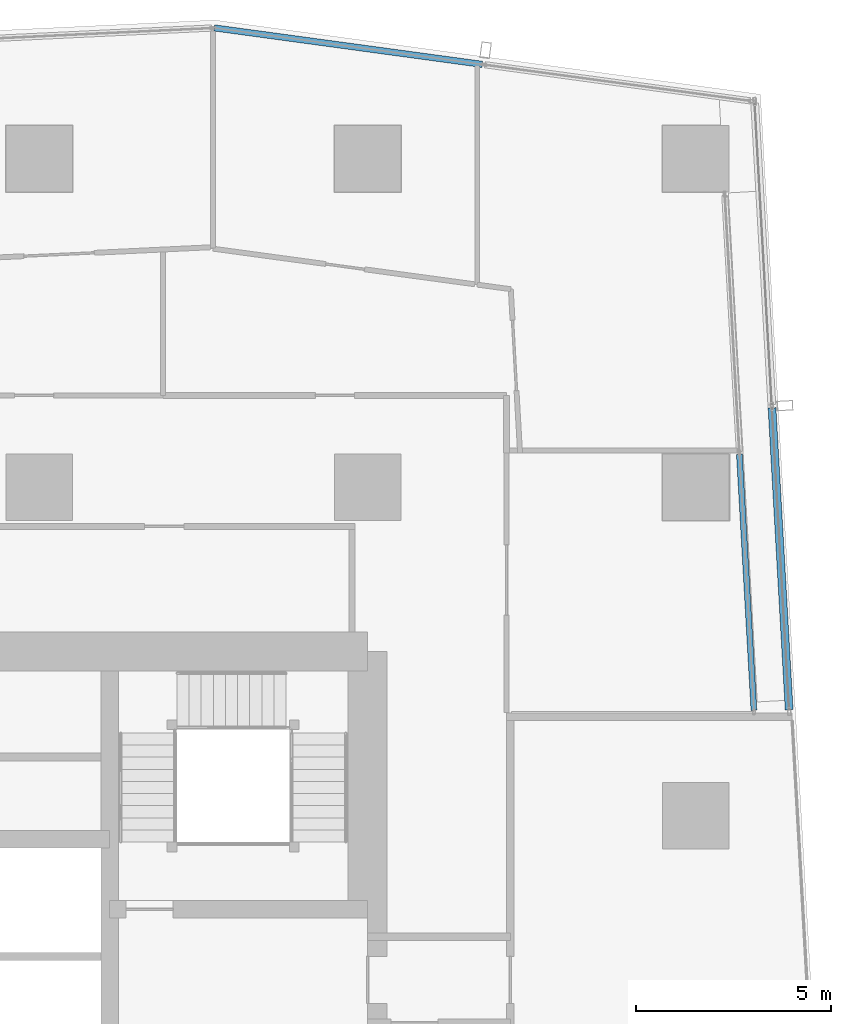
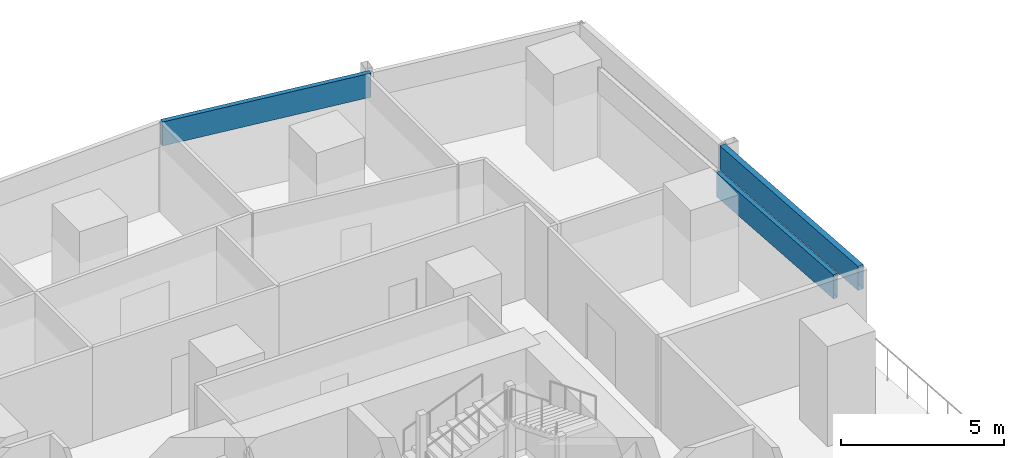
# One storey, part 20 of 34: 3 members, 3 elements without a shape of their own.
"""IFC4 building model written with IfcOpenShell, lengths in metres."""

import ifcopenshell
import ifcopenshell.guid

model = None  # the IFC model being written
_history = None  # IfcOwnerHistory: only IFC2X3 demands one
_inside = {}  # id of a spatial element -> (the spatial element, [elements in it])
_under = {}  # id of a project, library or spatial element -> (it, [spatial elements below it])
_declared = {}  # id of a project -> (the project, [libraries it declares])
_typed = {}  # id of a type object -> (the type object, [elements of that type])
_made_of = {}  # id of a material, layer set ... -> (it, [elements and type objects made of it])


def new_model(schema):
    """Start an empty IFC model of exactly this schema.

    Asked for "IFC4X3", IfcOpenShell would pick the latest addendum, in which some entities
    have other attributes; the version numbers below select the first issue.
    IFC2X3 requires an IfcOwnerHistory on every rooted entity: one is made here for all.
    """
    global model, _history
    if schema == "IFC4X3":
        model = ifcopenshell.file(schema_version=(4, 3, 0, 0))
    else:
        model = ifcopenshell.file(schema=schema)
    _inside.clear()
    _under.clear()
    _declared.clear()
    _typed.clear()
    _made_of.clear()
    _history = None
    if model.schema == "IFC2X3":
        org = make("IfcOrganization", Name="unknown")
        user = make(
            "IfcPersonAndOrganization",
            ThePerson=make("IfcPerson", FamilyName="unknown"),
            TheOrganization=org,
        )
        app = make(
            "IfcApplication",
            ApplicationDeveloper=org,
            Version="unknown",
            ApplicationFullName="unknown",
            ApplicationIdentifier="unknown",
        )
        _history = make(
            "IfcOwnerHistory",
            OwningUser=user,
            OwningApplication=app,
            ChangeAction="ADDED",
            CreationDate=0,
        )
    return model


def make(cls, **values):
    """One entity of the class cls with the attributes given. An attribute that is None is left unset."""
    return model.create_entity(
        cls, **{name: value for name, value in values.items() if value is not None}
    )


def rooted(cls, **values):
    """An entity with a GlobalId (a new one), such as an element, a storey or a relation."""
    return make(cls, GlobalId=ifcopenshell.guid.new(), OwnerHistory=_history, **values)


def si_unit(unit_type, name, prefix=None):
    """IfcSIUnit, for example si_unit("LENGTHUNIT", "METRE", prefix="MILLI")."""
    return make("IfcSIUnit", UnitType=unit_type, Prefix=prefix, Name=name)


def assignment(units):
    """IfcUnitAssignment: the units of a project."""
    return None if units is None else make("IfcUnitAssignment", Units=units)


def point(xyz):
    """IfcCartesianPoint."""
    return None if xyz is None else make("IfcCartesianPoint", Coordinates=xyz)


def direction(xyz):
    """IfcDirection."""
    return None if xyz is None else make("IfcDirection", DirectionRatios=xyz)


def frame(location, z_axis=None, x_axis=None):
    """IfcAxis2Placement3D, a coordinate frame: its origin and axes. An axis left out is left unset."""
    return make(
        "IfcAxis2Placement3D",
        Location=point(location),
        Axis=direction(z_axis),
        RefDirection=direction(x_axis),
    )


def frame_2d(location, x_axis=None):
    """IfcAxis2Placement2D, a coordinate frame in the plane: its origin and x axis."""
    return make(
        "IfcAxis2Placement2D", Location=point(location), RefDirection=direction(x_axis)
    )


def origin():
    """The frame at (0, 0, 0) with its axes left unset."""
    return frame((0.0, 0.0, 0.0))


def origin_2d():
    """The frame at (0, 0) in the plane with its x axis left unset."""
    return frame_2d((0.0, 0.0))


def place(relative_to, where):
    """IfcLocalPlacement: puts the frame where relative to a parent placement (None: the world)."""
    return make(
        "IfcLocalPlacement", PlacementRelTo=relative_to, RelativePlacement=where
    )


def context(
    kind, dimensions, precision=None, world=None, true_north=None, identifier=None
):
    """IfcGeometricRepresentationContext, for example the 3D "Model" context."""
    return make(
        "IfcGeometricRepresentationContext",
        ContextIdentifier=identifier,
        ContextType=kind,
        CoordinateSpaceDimension=dimensions,
        Precision=precision,
        WorldCoordinateSystem=world,
        TrueNorth=true_north,
    )


def subcontext(parent, identifier, kind, view, scale=None):
    """IfcGeometricRepresentationSubContext, for example "Body" below "Model"."""
    return make(
        "IfcGeometricRepresentationSubContext",
        ContextIdentifier=identifier,
        ContextType=kind,
        ParentContext=parent,
        TargetScale=scale,
        TargetView=view,
    )


def project(units=None, contexts=None):
    """IfcProject with its units and contexts."""
    return rooted(
        "IfcProject",
        Name="project",
        RepresentationContexts=contexts,
        UnitsInContext=assignment(units),
    )


def spatial(cls, under=None, at=None, **own):
    """A site, building, storey or space (cls), placed at a placement, below another one or the project."""
    s = rooted(cls, ObjectPlacement=at, **own)
    if under is not None:
        _under.setdefault(under.id(), (under, []))[1].append(s)
    return s


def profile(cls, at=None, kind="AREA", **sizes):
    """A parametric profile (cls). Its sizes go by their IFC names, for example OverallWidth=200.0."""
    return make(cls, ProfileType=kind, Position=at, **sizes)


def hollow_rectangle(**sizes):
    """IfcRectangleHollowProfileDef."""
    return profile("IfcRectangleHollowProfileDef", **sizes)


def extrude(swept, where, along, depth):
    """IfcExtrudedAreaSolid: the profile swept, set in the frame where, extruded along a direction by depth."""
    return make(
        "IfcExtrudedAreaSolid",
        SweptArea=swept,
        Position=where,
        ExtrudedDirection=direction(along),
        Depth=depth,
    )


def shape(context_of_items, identifier, shape_type, items):
    """IfcShapeRepresentation: the items that make up one representation, for example the "Body"."""
    return make(
        "IfcShapeRepresentation",
        ContextOfItems=context_of_items,
        RepresentationIdentifier=identifier,
        RepresentationType=shape_type,
        Items=items,
    )


def material(Name=None, Category=None):
    """IfcMaterial."""
    return make("IfcMaterial", Name=Name, Category=Category)


def material_profile(
    of_material, cross_section, Name=None, Category=None, Priority=None
):
    """IfcMaterialProfile: a cross section and its material."""
    return make(
        "IfcMaterialProfile",
        Name=Name,
        Material=of_material,
        Profile=cross_section,
        Priority=Priority,
        Category=Category,
    )


def profile_set(profiles, Name=None, composite=None):
    """IfcMaterialProfileSet."""
    return make(
        "IfcMaterialProfileSet",
        Name=Name,
        MaterialProfiles=profiles,
        CompositeProfile=composite,
    )


def made_of(thing, what):
    """Note that an element or type object is made of a material, layer set ...; save() writes the relation."""
    if what is not None:
        _made_of.setdefault(what.id(), (what, []))[1].append(thing)
    return thing


def type_object(cls, material=None, **own):
    """A type object (cls), such as IfcWallType, which elements share."""
    return made_of(rooted(cls, **own), material)


def element(
    cls,
    number,
    at=None,
    inside=None,
    cuts=None,
    type_object=None,
    material=None,
    context=None,
    identifier="Body",
    shape_type=None,
    held_by="IfcProductDefinitionShape",
    body=None,
    shapes=None,
    **own,
):
    """One element of the class cls, such as IfcWall. Its Tag is "e" and its number.

    at: its placement. inside: the storey or other place that contains it. cuts: it is an
    opening in that element (IfcRelVoidsElement). A single representation is given by context,
    identifier, shape_type and body (its items); several are given by shapes. held_by: the class
    of the entity that holds the representations. save() writes the other relations.
    """
    e = rooted(cls, Tag="e%d" % number, ObjectPlacement=at, **own)
    if body is not None:
        shapes = [shape(context, identifier, shape_type, body)]
    if shapes is not None:
        e.Representation = make(held_by, Representations=shapes)
    if inside is not None:
        _inside.setdefault(inside.id(), (inside, []))[1].append(e)
    if cuts is not None:
        rooted(
            "IfcRelVoidsElement", RelatingBuildingElement=cuts, RelatedOpeningElement=e
        )
    if type_object is not None:
        _typed.setdefault(type_object.id(), (type_object, []))[1].append(e)
    return made_of(e, material)


def aggregate(whole, parts):
    """IfcRelAggregates: a whole, such as a stair, and the parts it consists of."""
    return rooted("IfcRelAggregates", RelatingObject=whole, RelatedObjects=parts)


def save(model, path):
    """Write the relations noted so far, then the file.

    IfcRelAggregates (storeys below a building ...), IfcRelContainedInSpatialStructure (elements
    in a storey), IfcRelDefinesByType, IfcRelAssociatesMaterial and IfcRelDeclares: one each for
    every whole, place, type object, material and project.
    """
    for whole, parts in _under.values():
        aggregate(whole, parts)
    for where, things in _inside.values():
        rooted(
            "IfcRelContainedInSpatialStructure",
            RelatedElements=things,
            RelatingStructure=where,
        )
    for kind, things in _typed.values():
        rooted("IfcRelDefinesByType", RelatedObjects=things, RelatingType=kind)
    for what, things in _made_of.values():
        rooted("IfcRelAssociatesMaterial", RelatedObjects=things, RelatingMaterial=what)
    for by, libraries in _declared.values():
        rooted("IfcRelDeclares", RelatingContext=by, RelatedDefinitions=libraries)
    model.write(path)


model = new_model("IFC4")

# Units and contexts
model_context = context("Model", 3, precision=1e-05, world=origin(), true_north=direction((0.0, 1.0)))
body_context = subcontext(model_context, "Body", "Model", "MODEL_VIEW")
ifc_project = project(units=[si_unit("LENGTHUNIT", "METRE"), si_unit("AREAUNIT", "SQUARE_METRE"), si_unit("VOLUMEUNIT", "CUBIC_METRE"), si_unit("PLANEANGLEUNIT", "RADIAN"), si_unit("MASSUNIT", "GRAM", prefix="KILO")], contexts=[model_context])

# Site, building, storey
site_placement = place(None, origin())
site = spatial("IfcSite", under=ifc_project, at=site_placement, CompositionType="ELEMENT")
building_placement = place(site_placement, origin())
building = spatial("IfcBuilding", under=site, at=building_placement, Name="Rekha Terrace Tower", CompositionType="ELEMENT")
storey_placement = place(building_placement, frame((0.0, 0.0, 176.449951171875)))
storey = spatial("IfcBuildingStorey", under=building, at=storey_placement, Name="L44", CompositionType="ELEMENT", Elevation=176.449951171875)

# Curtain wall, member
ifc_material_1 = material(Name="Aluminium framing", Category="aluminium")
curtain_wall_type_1 = type_object("IfcCurtainWallType", Name="CW1 double skin inner glazing", PredefinedType="USERDEFINED", material=ifc_material_1)
curtain_wall_1_placement = place(storey_placement, origin())
curtain_wall_1 = element("IfcCurtainWall", 1, at=curtain_wall_1_placement, inside=storey, type_object=curtain_wall_type_1, Name="CW1 double skin inner glazing", ObjectType="DOUBLE SKIN INNER GLAZING", PredefinedType="USERDEFINED")
ifc_material_2 = material(Name="Insulated aluminium spandrel box", Category="aluminium")
ifc_material_profile_1 = material_profile(ifc_material_2, hollow_rectangle(XDim=0.14990234375, YDim=0.89990234375, WallThickness=0.0029296875, at=origin_2d()), Name="AL SPANDREL BOX 150x900")
ifc_profile_set_1 = profile_set([ifc_material_profile_1], Name="Insulated aluminium spandrel box")
member_type_1 = type_object("IfcMemberType", Name="CW1 spandrel transom 150 x 900", PredefinedType="USERDEFINED", material=ifc_profile_set_1)
member_1_placement = place(storey_placement, frame((60.28271484375, 44.69287109375, 3.050048828125), z_axis=(-0.056667264973, 0.998393119508, 0.0), x_axis=(-0.998393119508, -0.056667264973, 0.0)))
member_1 = element("IfcMember", 2, at=member_1_placement, type_object=member_type_1, Name="CW1 spandrel transom 1", ObjectType="TRANSOM", PredefinedType="USERDEFINED", context=body_context, shape_type="SweptSolid", body=[
    extrude(hollow_rectangle(XDim=0.14990234375, YDim=0.89990234375, WallThickness=0.0029296875, at=origin_2d()), origin(), (0.0, 0.0, 1.0), 6.5615234375),
])
aggregate(curtain_wall_1, [member_1])

curtain_wall_type_2 = type_object("IfcCurtainWallType", Name="CW2 double skin outer glazing", PredefinedType="USERDEFINED", material=ifc_material_1)
curtain_wall_2_placement = place(storey_placement, origin())
curtain_wall_2 = element("IfcCurtainWall", 3, at=curtain_wall_2_placement, inside=storey, type_object=curtain_wall_type_2, Name="CW2 double skin outer glazing", ObjectType="DOUBLE SKIN OUTER GLAZING", PredefinedType="USERDEFINED")
ifc_material_profile_2 = material_profile(ifc_material_2, hollow_rectangle(XDim=0.199951171875, YDim=0.89990234375, WallThickness=0.0029296875, at=origin_2d()), Name="AL SPANDREL BOX 200x900")
ifc_profile_set_2 = profile_set([ifc_material_profile_2], Name="Insulated aluminium spandrel box")
member_type_2 = type_object("IfcMemberType", Name="CW2 spandrel transom 200 x 900", PredefinedType="USERDEFINED", material=ifc_profile_set_2)
member_2_placement = place(storey_placement, frame((61.183349609375, 44.707763671875, 3.050048828125), z_axis=(-0.056667687162, 0.998393095545, 0.0), x_axis=(-0.998393095545, -0.056667687162, 0.0)))
member_2 = element("IfcMember", 4, at=member_2_placement, type_object=member_type_2, Name="CW2 spandrel transom 1", ObjectType="TRANSOM", PredefinedType="USERDEFINED", context=body_context, shape_type="SweptSolid", body=[
    extrude(hollow_rectangle(XDim=0.199951171875, YDim=0.89990234375, WallThickness=0.0029296875, at=origin_2d()), origin(), (0.0, 0.0, 1.0), 7.7333984375),
])
aggregate(curtain_wall_2, [member_2])

curtain_wall_type_3 = type_object("IfcCurtainWallType", Name="CW3 north unitised glazing", PredefinedType="USERDEFINED", material=ifc_material_1)
curtain_wall_3_placement = place(storey_placement, origin())
curtain_wall_3 = element("IfcCurtainWall", 5, at=curtain_wall_3_placement, inside=storey, type_object=curtain_wall_type_3, Name="CW3 unitised curtain wall", ObjectType="UNITISED CURTAIN WALL", PredefinedType="USERDEFINED")
ifc_material_profile_3 = material_profile(ifc_material_2, hollow_rectangle(XDim=0.159912109375, YDim=0.89990234375, WallThickness=0.0029296875, at=origin_2d()), Name="AL SPANDREL BOX 160x900")
ifc_profile_set_3 = profile_set([ifc_material_profile_3], Name="Insulated aluminium spandrel box")
member_type_3 = type_object("IfcMemberType", Name="CW3 spandrel transom 160 x 900", PredefinedType="USERDEFINED", material=ifc_profile_set_3)
member_3_placement = place(storey_placement, frame((53.334716796875, 61.21630859375, 3.050048828125), z_axis=(-0.990863635349, 0.134867550367, 0.0), x_axis=(-0.134867550367, -0.990863635349, 0.0)))
member_3 = element("IfcMember", 6, at=member_3_placement, type_object=member_type_3, Name="CW3 spandrel transom 2", ObjectType="TRANSOM", PredefinedType="USERDEFINED", context=body_context, shape_type="SweptSolid", body=[
    extrude(hollow_rectangle(XDim=0.159912109375, YDim=0.89990234375, WallThickness=0.0029296875, at=origin_2d()), origin(), (0.0, 0.0, 1.0), 6.918701171875),
])
aggregate(curtain_wall_3, [member_3])

save(model, "model.ifc")
